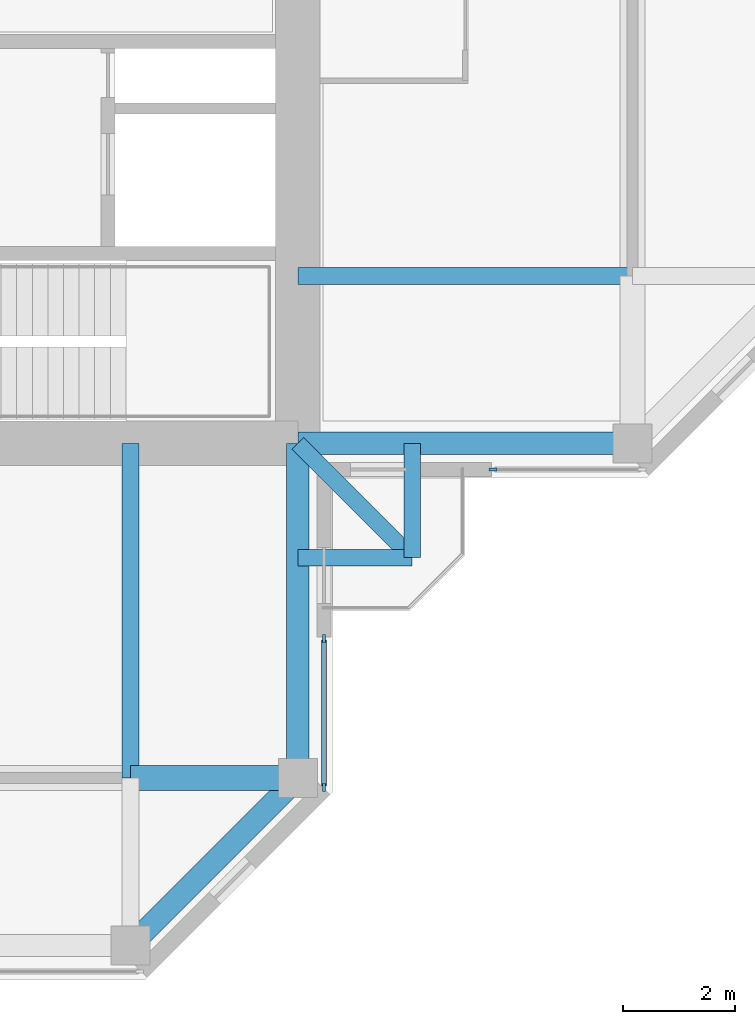
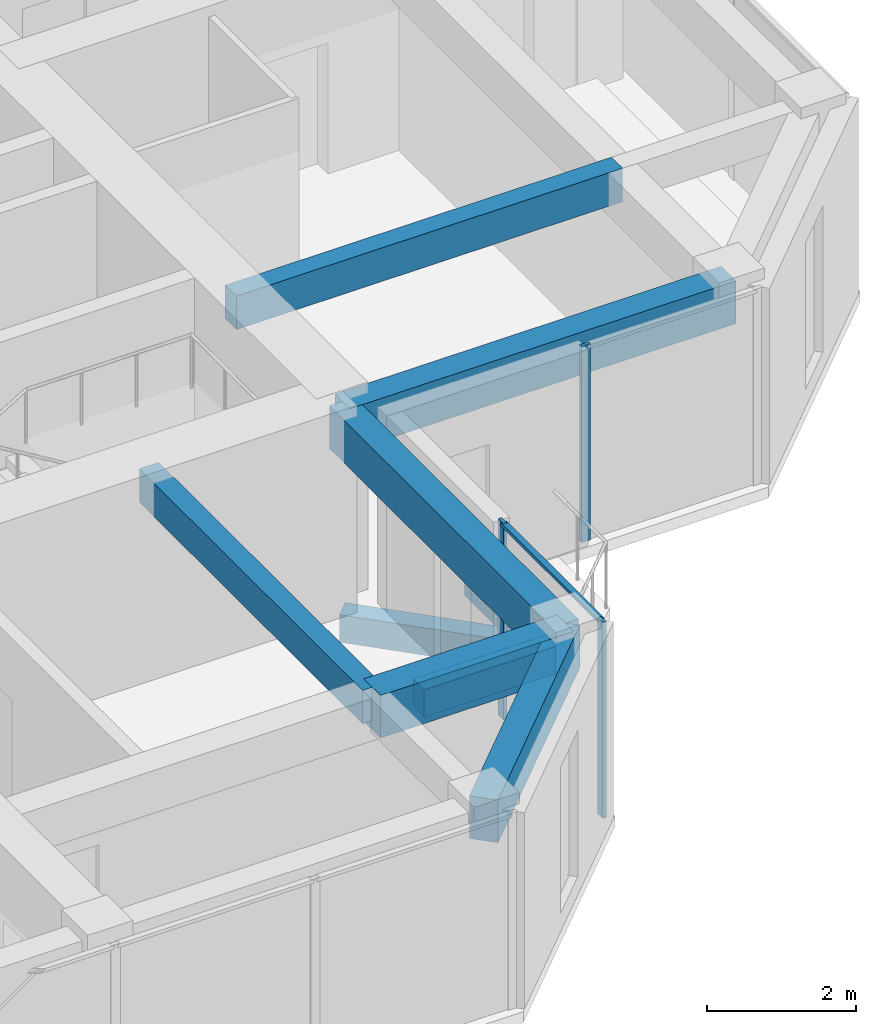
# One storey, part 3 of 13: 9 beams, 4 members, 2 elements without a shape of their own.
"""IFC4 building model written with IfcOpenShell, lengths in metres."""

from ifc_helpers import new_model, si_unit, direction, frame, origin, origin_2d, place, context, subcontext, project, spatial, rectangle, extrude, material, material_profile, profile_set, type_object, element, aggregate, save


model = new_model("IFC4")

# Units and contexts
model_context = context("Model", 3, precision=1e-05, world=origin(), true_north=direction((0.0, 1.0)))
body_context = subcontext(model_context, "Body", "Model", "MODEL_VIEW")
ifc_project = project(units=[si_unit("LENGTHUNIT", "METRE"), si_unit("AREAUNIT", "SQUARE_METRE"), si_unit("VOLUMEUNIT", "CUBIC_METRE"), si_unit("PLANEANGLEUNIT", "RADIAN"), si_unit("MASSUNIT", "GRAM", prefix="KILO")], contexts=[model_context])

# Site, building, storey
site_placement = place(None, origin())
site = spatial("IfcSite", under=ifc_project, at=site_placement, CompositionType="ELEMENT")
building_placement = place(site_placement, origin())
building = spatial("IfcBuilding", under=site, at=building_placement, Name="Torre Cruceta", CompositionType="ELEMENT")
storey_placement = place(building_placement, frame((0.0, 0.0, 274.699951171875)))
storey = spatial("IfcBuildingStorey", under=building, at=storey_placement, Name="L71", CompositionType="ELEMENT", Elevation=274.699951171875)

# Beams
ifc_material_1 = material(Name="Concrete G60 (fck 60 MPa)", Category="concrete")
ifc_material_profile_1 = material_profile(ifc_material_1, rectangle(XDim=0.300048828125, YDim=0.449951171875, at=origin_2d()), Name="RC 300X450")
ifc_profile_set_1 = profile_set([ifc_material_profile_1], Name="Concrete G60 (fck 60 MPa)")
beam_type_1 = type_object("IfcBeamType", Name="BALCONY CANTILEVER BEAM RC 300X450", PredefinedType="BEAM", material=ifc_profile_set_1)
beam_1_placement = place(storey_placement, frame((9.0, -9.0, -0.405029296875), z_axis=(0.707106781187, -0.707106781187, 0.0), x_axis=(0.707106781187, 0.707106781187, 0.0)))
element("IfcBeam", 1, at=beam_1_placement, inside=storey, type_object=beam_type_1, Name="BB1 balcony beam L71 S", PredefinedType="BEAM", context=body_context, shape_type="SweptSolid", body=[
    extrude(rectangle(XDim=0.300048828125, YDim=0.449951171875, at=origin_2d()), origin(), (0.0, 0.0, 1.0), 2.89990234375),
])
for number, where, z_axis, x_axis, name in (
    (2, (11.050537109375, -9.0, -0.405029296875), (0.0, -1.0, 0.0), (1.0, 0.0, 0.0), "BB1 balcony edge beam L71 S-X"),
    (3, (9.0, -11.050537109375, -0.405029296875), (1.0, 0.0, 0.0), (0.0, 1.0, 0.0), "BB1 balcony edge beam L71 S-Y"),
):
    element("IfcBeam", number, at=place(storey_placement, frame(where, z_axis=z_axis, x_axis=x_axis)), inside=storey, type_object=beam_type_1, Name=name, PredefinedType="BEAM", context=body_context, shape_type="SweptSolid", body=[
        extrude(rectangle(XDim=0.300048828125, YDim=0.449951171875, at=origin_2d()), origin(), (0.0, 0.0, 1.0), 2.050537109375),
    ])
ifc_material_2 = material(Name="Concrete G60 (fck 60 MPa)", Category="concrete")
ifc_material_profile_2 = material_profile(ifc_material_2, rectangle(XDim=0.300048828125, YDim=0.550048828125, at=origin_2d()), Name="RC 300X550")
ifc_profile_set_2 = profile_set([ifc_material_profile_2], Name="Concrete G60 (fck 60 MPa)")
beam_type_2 = type_object("IfcBeamType", Name="COLUMN LINE BEAM RC 300X550", PredefinedType="BEAM", material=ifc_profile_set_2)
for number, where, z_axis, x_axis, name in (
    (4, (9.0, -6.0, 2.945068359375), (1.0, 0.0, 0.0), (0.0, 1.0, 0.0), "LB10 L71 E col- 1"),
    (5, (6.0, -9.0, 2.945068359375), (0.0, -1.0, 0.0), (1.0, 0.0, 0.0), "LB10 L71 S col+ 1"),
):
    element("IfcBeam", number, at=place(storey_placement, frame(where, z_axis=z_axis, x_axis=x_axis)), inside=storey, type_object=beam_type_2, Name=name, PredefinedType="BEAM", context=body_context, shape_type="SweptSolid", body=[
        extrude(rectangle(XDim=0.300048828125, YDim=0.550048828125, at=origin_2d()), origin(), (0.0, 0.0, 1.0), 6.0),
    ])
ifc_material_3 = material(Name="Concrete G60 (fck 60 MPa)", Category="concrete")
ifc_material_profile_3 = material_profile(ifc_material_3, rectangle(XDim=0.449951171875, YDim=0.699951171875, at=origin_2d()), Name="RC 450X700")
ifc_profile_set_3 = profile_set([ifc_material_profile_3], Name="Concrete G60 (fck 60 MPa)")
beam_type_3 = type_object("IfcBeamType", Name="CROSS BEAM RC 450X700", PredefinedType="BEAM", material=ifc_profile_set_3)
beam_2_placement = place(storey_placement, frame((6.0, -15.0, 2.8701171875), z_axis=(1.0, 0.0, 0.0), x_axis=(0.0, 1.0, 0.0)))
element("IfcBeam", 6, at=beam_2_placement, inside=storey, type_object=beam_type_3, Name="GB8 L71 S cross15 4", PredefinedType="BEAM", context=body_context, shape_type="SweptSolid", body=[
    extrude(rectangle(XDim=0.449951171875, YDim=0.699951171875, at=origin_2d()), origin(), (0.0, 0.0, 1.0), 3.0),
])

# Curtain wall, member
ifc_material_4 = material(Name="Aluminium unitised curtain wall", Category="aluminium")
curtain_wall_type = type_object("IfcCurtainWallType", Name="CURTAIN WALL CW-E CO-LIVING TOP", PredefinedType="USERDEFINED", material=ifc_material_4)
curtain_wall_1_placement = place(storey_placement, origin())
curtain_wall_1 = element("IfcCurtainWall", 7, at=curtain_wall_1_placement, inside=storey, type_object=curtain_wall_type, Name="CW-E L71 E side 00", ObjectType="UNITISED", PredefinedType="USERDEFINED")
ifc_material_5 = material(Name="Aluminium mullion", Category="aluminium")
ifc_material_profile_4 = material_profile(ifc_material_5, rectangle(XDim=0.054931640625, YDim=0.139892578125, at=origin_2d()), Name="AL 55X140")
ifc_profile_set_4 = profile_set([ifc_material_profile_4], Name="Aluminium mullion")
member_type_1 = type_object("IfcMemberType", Name="CW-E MULLION 55X140", PredefinedType="MULLION", material=ifc_profile_set_4)
member_1_placement = place(storey_placement, frame((12.49755859375, -9.469970703125, 0.0), z_axis=(0.0, 0.0, 1.0), x_axis=(0.0, 1.0, 0.0)))
member_1 = element("IfcMember", 8, at=member_1_placement, type_object=member_type_1, Name="CW-E mullion 1", PredefinedType="MULLION", context=body_context, shape_type="SweptSolid", body=[
    extrude(rectangle(XDim=0.054931640625, YDim=0.139892578125, at=origin_2d()), origin(), (0.0, 0.0, 1.0), 3.219970703125),
])
aggregate(curtain_wall_1, [member_1])

# Curtain wall, members
curtain_wall_2_placement = place(storey_placement, origin())
curtain_wall_2 = element("IfcCurtainWall", 9, at=curtain_wall_2_placement, inside=storey, type_object=curtain_wall_type, Name="CW-E L71 S side 19", ObjectType="UNITISED", PredefinedType="USERDEFINED")
member_2_placement = place(storey_placement, frame((9.469970703125, -15.167236328125, 0.0), z_axis=(0.0, 0.0, 1.0), x_axis=(-1.0, 0.0, 0.0)))
member_2 = element("IfcMember", 10, at=member_2_placement, type_object=member_type_1, Name="CW-E mullion 1", PredefinedType="MULLION", context=body_context, shape_type="SweptSolid", body=[
    extrude(rectangle(XDim=0.054931640625, YDim=0.139892578125, at=origin_2d()), origin(), (0.0, 0.0, 1.0), 3.219970703125),
])
member_3_placement = place(storey_placement, frame((9.469970703125, -12.49755859375, 0.0), z_axis=(0.0, 0.0, 1.0), x_axis=(-1.0, 0.0, 0.0)))
member_3 = element("IfcMember", 11, at=member_3_placement, type_object=member_type_1, Name="CW-E mullion 2", PredefinedType="MULLION", context=body_context, shape_type="SweptSolid", body=[
    extrude(rectangle(XDim=0.054931640625, YDim=0.139892578125, at=origin_2d()), origin(), (0.0, 0.0, 1.0), 3.219970703125),
])
ifc_material_6 = material(Name="Aluminium transom", Category="aluminium")
ifc_material_profile_5 = material_profile(ifc_material_6, rectangle(XDim=0.090087890625, YDim=0.054931640625, at=origin_2d()), Name="AL 90X55")
ifc_profile_set_5 = profile_set([ifc_material_profile_5], Name="Aluminium transom")
member_type_2 = type_object("IfcMemberType", Name="CW-E TRANSOM 55X90", PredefinedType="USERDEFINED", material=ifc_profile_set_5)
member_4_placement = place(storey_placement, frame((9.469970703125, -15.1396484375, 3.192626953125), z_axis=(0.0, 1.0, 0.0), x_axis=(-1.0, 0.0, 0.0)))
member_4 = element("IfcMember", 12, at=member_4_placement, type_object=member_type_2, Name="CW-E transom 1", ObjectType="TRANSOM", PredefinedType="USERDEFINED", context=body_context, shape_type="SweptSolid", body=[
    extrude(rectangle(XDim=0.090087890625, YDim=0.054931640625, at=origin_2d()), origin(), (0.0, 0.0, 1.0), 2.61474609375),
])
aggregate(curtain_wall_2, [member_2, member_3, member_4])

# Beams
ifc_material_7 = material(Name="Concrete G60 (fck 60 MPa)", Category="concrete")
ifc_material_profile_6 = material_profile(ifc_material_7, rectangle(XDim=0.39990234375, YDim=0.699951171875, at=origin_2d()), Name="RC 400X700")
ifc_profile_set_6 = profile_set([ifc_material_profile_6], Name="Concrete G60 (fck 60 MPa)")
beam_type_4 = type_object("IfcBeamType", Name="SPANDREL BEAM RC 400X700", PredefinedType="SPANDREL", material=ifc_profile_set_6)
for number, where, z_axis, x_axis, name in (
    (13, (9.0, -9.0, 2.8701171875), (1.0, 0.0, 0.0), (0.0, 1.0, 0.0), "SB8 L71 E side- 1"),
    (14, (9.0, -9.0, 2.8701171875), (0.0, -1.0, 0.0), (1.0, 0.0, 0.0), "SB8 L71 S side+ 1"),
):
    element("IfcBeam", number, at=place(storey_placement, frame(where, z_axis=z_axis, x_axis=x_axis)), inside=storey, type_object=beam_type_4, Name=name, PredefinedType="SPANDREL", context=body_context, shape_type="SweptSolid", body=[
        extrude(rectangle(XDim=0.39990234375, YDim=0.699951171875, at=origin_2d()), origin(), (0.0, 0.0, 1.0), 6.0),
    ])
beam_3_placement = place(storey_placement, frame((9.0, -15.0, 2.8701171875), z_axis=(-0.707106781187, -0.707106781187, 0.0), x_axis=(0.707106781187, -0.707106781187, 0.0)))
element("IfcBeam", 15, at=beam_3_placement, inside=storey, type_object=beam_type_4, Name="SB8 L71 S side+ 2", PredefinedType="SPANDREL", context=body_context, shape_type="SweptSolid", body=[
    extrude(rectangle(XDim=0.39990234375, YDim=0.699951171875, at=origin_2d()), origin(), (0.0, 0.0, 1.0), 4.24267578125),
])

save(model, "model.ifc")
